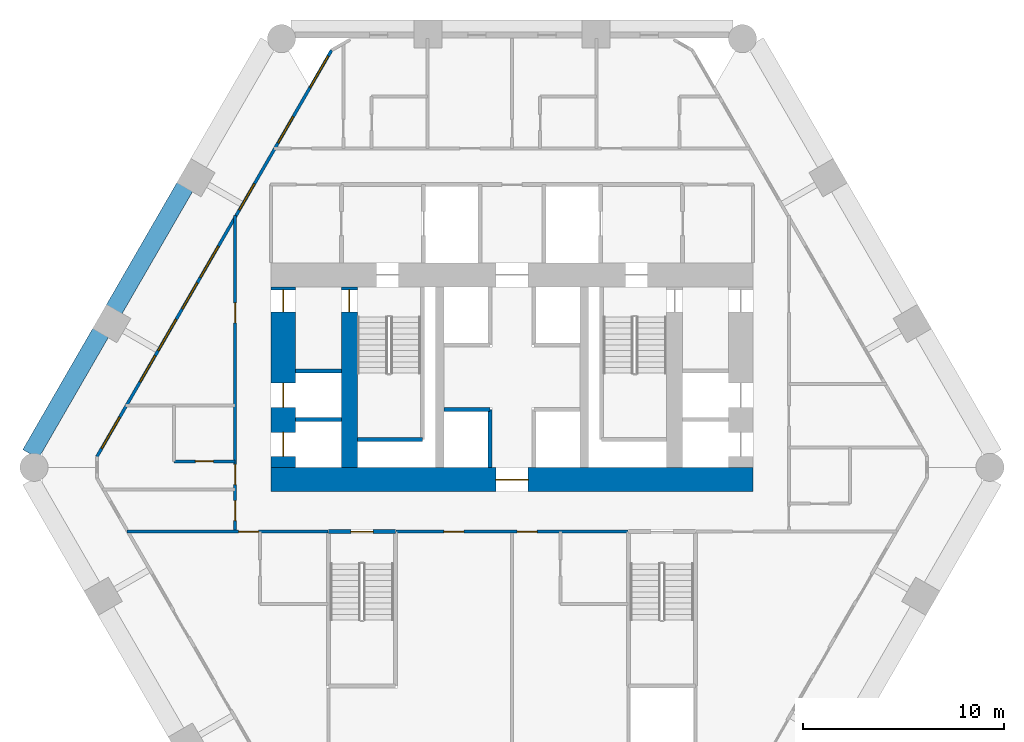
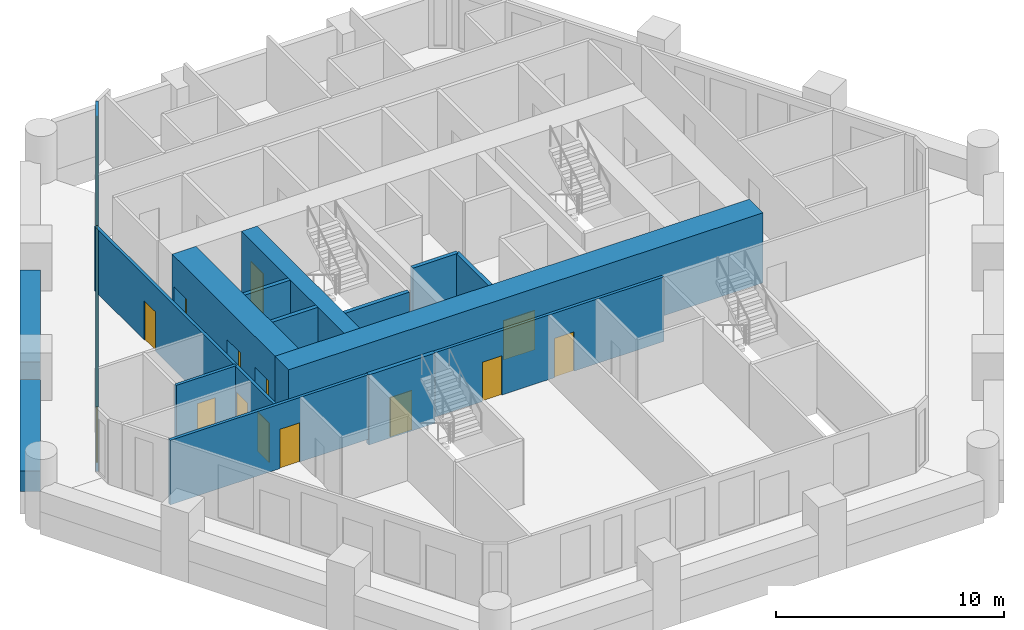
# One storey, part 3 of 8: 16 walls, 13 doors, 8 windows, 21 openings.
"""IFC4 building model written with IfcOpenShell, lengths in metres."""

from ifc_helpers import new_model, si_unit, direction, frame, frame_2d, origin, place, context, subcontext, project, spatial, rectangle, extrude, material, layer, layer_set, type_object, element, fill, save


model = new_model("IFC4")

# Units and contexts
model_context = context("Model", 3, precision=1e-05, world=origin(), true_north=direction((0.0, 1.0)))
body_context = subcontext(model_context, "Body", "Model", "MODEL_VIEW")
ifc_project = project(units=[si_unit("LENGTHUNIT", "METRE"), si_unit("AREAUNIT", "SQUARE_METRE"), si_unit("VOLUMEUNIT", "CUBIC_METRE"), si_unit("PLANEANGLEUNIT", "RADIAN"), si_unit("MASSUNIT", "GRAM", prefix="KILO")], contexts=[model_context])

# Site, building, storey
site_placement = place(None, origin())
site = spatial("IfcSite", under=ifc_project, at=site_placement, CompositionType="ELEMENT")
building_placement = place(site_placement, origin())
building = spatial("IfcBuilding", under=site, at=building_placement, Name="Ostrander Bayou Hotel Tower", CompositionType="ELEMENT")
storey_placement = place(building_placement, frame((0.0, 0.0, 50.5)))
storey = spatial("IfcBuildingStorey", under=building, at=storey_placement, Name="L12", CompositionType="ELEMENT", Elevation=50.5)

# Wall, opening, door
ifc_material_1 = material(Name="Concrete f'c 70 MPa", Category="concrete")
ifc_layer_1 = layer(ifc_material_1, 1.199951171875)
ifc_layer_set_1 = layer_set([ifc_layer_1], Name="CW1 core wall 1200 mm f'c 70 MPa")
wall_type_1 = type_object("IfcWallType", Name="CW1 core wall 1200 mm f'c 70 MPa", PredefinedType="SHEAR", material=ifc_layer_set_1)
wall_1_placement = place(storey_placement, frame((-12.0, -1.10009765625, -0.300048828125), z_axis=(0.0, 0.0, 1.0), x_axis=(1.0, 0.0, 0.0)))
wall_1 = element("IfcWall", 1, at=wall_1_placement, inside=storey, type_object=wall_type_1, Name="CW1 L12 S", PredefinedType="SHEAR", context=body_context, shape_type="SweptSolid", body=[
    extrude(rectangle(XDim=24.0, YDim=1.199951171875, at=frame_2d((12.0, 0.0))), origin(), (0.0, 0.0, 1.0), 3.75),
])
opening_1_placement = place(wall_1_placement, frame((11.199951171875, 0.0, 0.0)))
opening_1 = element("IfcOpeningElement", 2, at=opening_1_placement, cuts=wall_1, Name="Opening T12-001", PredefinedType="OPENING", context=body_context, shape_type="SweptSolid", body=[
    extrude(rectangle(XDim=1.60009765625, YDim=2.10009765625, at=frame_2d((0.800048828125, 1.050048828125))), frame((0.0, 0.60009765625, 0.0), z_axis=(0.0, -1.0, 0.0), x_axis=(1.0, 0.0, 0.0)), (0.0, 0.0, 1.0), 1.199951171875),
])
ifc_material_2 = material(Name="Timber door leaf", Category="wood")
door_type_1 = type_object("IfcDoorType", Name="D13 double door 1600 x 2100 mm, 1 hour", OperationType="SINGLE_SWING_LEFT", PredefinedType="DOOR", material=ifc_material_2)
door_1_placement = place(opening_1_placement, origin())
door_1 = element("IfcDoor", 3, at=door_1_placement, inside=storey, type_object=door_type_1, Name="dr:L12:001", OperationType="DOUBLE_DOOR_SINGLE_SWING", OverallHeight=2.10009765625, OverallWidth=1.60009765625, PredefinedType="DOOR", context=body_context, shape_type="SweptSolid", body=[
    extrude(rectangle(XDim=1.60009765625, YDim=2.10009765625, at=frame_2d((0.800048828125, 1.050048828125))), frame((0.0, 0.02490234375, 0.0), z_axis=(0.0, -1.0, 0.0), x_axis=(1.0, 0.0, 0.0)), (0.0, 0.0, 1.0), 0.050048828125),
])
fill(opening_1, door_1)

# Wall, openings, doors
wall_2_placement = place(storey_placement, frame((-11.39990234375, -0.5, -0.300048828125), z_axis=(0.0, 0.0, 1.0), x_axis=(0.0, 1.0, 0.0)))
wall_2 = element("IfcWall", 4, at=wall_2_placement, inside=storey, type_object=wall_type_1, Name="CW1 L12 RW", PredefinedType="SHEAR", context=body_context, shape_type="SweptSolid", body=[
    extrude(rectangle(XDim=9.0, YDim=1.199951171875, at=frame_2d((4.5, 0.0))), origin(), (0.0, 0.0, 1.0), 3.75),
])
opening_2_placement = place(wall_2_placement, frame((7.75, 0.0, 0.0)))
opening_2 = element("IfcOpeningElement", 5, at=opening_2_placement, cuts=wall_2, Name="Opening T12-014", PredefinedType="OPENING", context=body_context, shape_type="SweptSolid", body=[
    extrude(rectangle(XDim=1.10009765625, YDim=2.10009765625, at=frame_2d((0.550048828125, 1.050048828125))), frame((0.0, 0.60009765625, 0.0), z_axis=(0.0, -1.0, 0.0), x_axis=(1.0, 0.0, 0.0)), (0.0, 0.0, 1.0), 1.199951171875),
])
opening_3_placement = place(wall_2_placement, frame((0.550048828125, 0.0, 0.0)))
opening_3 = element("IfcOpeningElement", 6, at=opening_3_placement, cuts=wall_2, Name="Opening T12-015", PredefinedType="OPENING", context=body_context, shape_type="SweptSolid", body=[
    extrude(rectangle(XDim=1.199951171875, YDim=2.10009765625, at=frame_2d((0.60009765625, 1.050048828125))), frame((0.0, 0.60009765625, 0.0), z_axis=(0.0, -1.0, 0.0), x_axis=(1.0, 0.0, 0.0)), (0.0, 0.0, 1.0), 1.199951171875),
])
opening_4_placement = place(wall_2_placement, frame((3.0, 0.0, 0.0)))
opening_4 = element("IfcOpeningElement", 7, at=opening_4_placement, cuts=wall_2, Name="Opening T12-016", PredefinedType="OPENING", context=body_context, shape_type="SweptSolid", body=[
    extrude(rectangle(XDim=1.199951171875, YDim=2.10009765625, at=frame_2d((0.60009765625, 1.050048828125))), frame((0.0, 0.60009765625, 0.0), z_axis=(0.0, -1.0, 0.0), x_axis=(1.0, 0.0, 0.0)), (0.0, 0.0, 1.0), 1.199951171875),
])
ifc_material_3 = material(Name="Timber door leaf", Category="wood")
door_type_2 = type_object("IfcDoorType", Name="D5 stair door 1100 x 2100 mm, 90 minute", OperationType="SINGLE_SWING_LEFT", PredefinedType="DOOR", material=ifc_material_3)
door_2_placement = place(opening_2_placement, origin())
door_2 = element("IfcDoor", 8, at=door_2_placement, inside=storey, type_object=door_type_2, Name="dr:L12:014", OperationType="SINGLE_SWING_LEFT", OverallHeight=2.10009765625, OverallWidth=1.10009765625, PredefinedType="DOOR", context=body_context, shape_type="SweptSolid", body=[
    extrude(rectangle(XDim=1.10009765625, YDim=2.10009765625, at=frame_2d((0.550048828125, 1.050048828125))), frame((0.0, 0.02490234375, 0.0), z_axis=(0.0, -1.0, 0.0), x_axis=(1.0, 0.0, 0.0)), (0.0, 0.0, 1.0), 0.050048828125),
])
fill(opening_2, door_2)
ifc_material_4 = material(Name="Stainless steel sliding door", Category="steel")
door_type_3 = type_object("IfcDoorType", Name="LD1 lift landing door 1200 x 2100 mm", OperationType="SINGLE_SWING_LEFT", PredefinedType="DOOR", material=ifc_material_4)
door_3_placement = place(opening_3_placement, origin())
door_3 = element("IfcDoor", 9, at=door_3_placement, inside=storey, type_object=door_type_3, Name="dr:L12:015", OperationType="SLIDING_TO_LEFT", OverallHeight=2.10009765625, OverallWidth=1.199951171875, PredefinedType="DOOR", context=body_context, shape_type="SweptSolid", body=[
    extrude(rectangle(XDim=1.199951171875, YDim=2.10009765625, at=frame_2d((0.60009765625, 1.050048828125))), frame((0.0, 0.02490234375, 0.0), z_axis=(0.0, -1.0, 0.0), x_axis=(1.0, 0.0, 0.0)), (0.0, 0.0, 1.0), 0.050048828125),
])
fill(opening_3, door_3)
door_4_placement = place(opening_4_placement, origin())
door_4 = element("IfcDoor", 10, at=door_4_placement, inside=storey, type_object=door_type_3, Name="dr:L12:016", OperationType="SLIDING_TO_LEFT", OverallHeight=2.10009765625, OverallWidth=1.199951171875, PredefinedType="DOOR", context=body_context, shape_type="SweptSolid", body=[
    extrude(rectangle(XDim=1.199951171875, YDim=2.10009765625, at=frame_2d((0.60009765625, 1.050048828125))), frame((0.0, 0.02490234375, 0.0), z_axis=(0.0, -1.0, 0.0), x_axis=(1.0, 0.0, 0.0)), (0.0, 0.0, 1.0), 0.050048828125),
])
fill(opening_4, door_4)

# Wall, opening, door
ifc_material_5 = material(Name="Concrete f'c 70 MPa", Category="concrete")
ifc_layer_2 = layer(ifc_material_5, 0.800048828125)
ifc_layer_set_2 = layer_set([ifc_layer_2], Name="CW2 core spine wall 800 mm f'c 70 MPa")
wall_type_2 = type_object("IfcWallType", Name="CW2 core spine wall 800 mm f'c 70 MPa", PredefinedType="SHEAR", material=ifc_layer_set_2)
wall_3_placement = place(storey_placement, frame((-8.10009765625, -0.5, -0.300048828125), z_axis=(0.0, 0.0, 1.0), x_axis=(0.0, 1.0, 0.0)))
wall_3 = element("IfcWall", 11, at=wall_3_placement, inside=storey, type_object=wall_type_2, Name="CW2 L12 W", PredefinedType="SHEAR", context=body_context, shape_type="SweptSolid", body=[
    extrude(rectangle(XDim=9.0, YDim=0.800048828125, at=frame_2d((4.5, 0.0))), origin(), (0.0, 0.0, 1.0), 3.75),
])
opening_5_placement = place(wall_3_placement, frame((7.75, 0.0, 0.0)))
opening_5 = element("IfcOpeningElement", 12, at=opening_5_placement, cuts=wall_3, Name="Opening T12-004", PredefinedType="OPENING", context=body_context, shape_type="SweptSolid", body=[
    extrude(rectangle(XDim=1.10009765625, YDim=2.10009765625, at=frame_2d((0.550048828125, 1.050048828125))), frame((0.0, 0.39990234375, 0.0), z_axis=(0.0, -1.0, 0.0), x_axis=(1.0, 0.0, 0.0)), (0.0, 0.0, 1.0), 0.800048828125),
])
door_5_placement = place(opening_5_placement, origin())
door_5 = element("IfcDoor", 13, at=door_5_placement, inside=storey, type_object=door_type_2, Name="dr:L12:004", OperationType="SINGLE_SWING_RIGHT", OverallHeight=2.10009765625, OverallWidth=1.10009765625, PredefinedType="DOOR", context=body_context, shape_type="SweptSolid", body=[
    extrude(rectangle(XDim=1.10009765625, YDim=2.10009765625, at=frame_2d((0.550048828125, 1.050048828125))), frame((0.0, 0.02490234375, 0.0), z_axis=(0.0, -1.0, 0.0), x_axis=(1.0, 0.0, 0.0)), (0.0, 0.0, 1.0), 0.050048828125),
])
fill(opening_5, door_5)

# Wall, openings, windows
ifc_material_6 = material(Name="Aluminium framed insulated wall", Category="aluminium")
ifc_layer_3 = layer(ifc_material_6, 0.14990234375)
ifc_layer_set_3 = layer_set([ifc_layer_3], Name="GW1 glass-line wall 150 mm")
wall_type_3 = type_object("IfcWallType", Name="GW1 glass-line wall 150 mm", PredefinedType="SOLIDWALL", material=ifc_layer_set_3)
wall_4_placement = place(storey_placement, frame((-8.99267578125, 20.29248046875, 0.0), z_axis=(0.0, 0.0, 1.0), x_axis=(-0.49999960747, -0.866025630412, 0.0)))
wall_4 = element("IfcWall", 14, at=wall_4_placement, inside=storey, type_object=wall_type_3, Name="GW1 L12 NW 1", PredefinedType="SOLIDWALL", context=body_context, shape_type="SweptSolid", body=[
    extrude(rectangle(XDim=23.3837890625, YDim=0.14990234375, at=frame_2d((11.69189453125, 0.0))), origin(), (0.0, 0.0, 1.0), 3.449951171875),
])
opening_6_placement = place(wall_4_placement, frame((3.8251953125, 0.0, 0.14990234375)))
opening_6 = element("IfcOpeningElement", 15, at=opening_6_placement, cuts=wall_4, Name="Opening W11", PredefinedType="OPENING", context=body_context, shape_type="SweptSolid", body=[
    extrude(rectangle(XDim=1.5, YDim=2.85009765625, at=frame_2d((0.75, 1.425048828125))), frame((0.0, 0.074951171875, 0.0), z_axis=(0.0, -1.0, 0.0), x_axis=(1.0, 0.0, 0.0)), (0.0, 0.0, 1.0), 0.14990234375),
])
opening_7_placement = place(wall_4_placement, frame((7.686767578125, 0.0, 0.14990234375)))
opening_7 = element("IfcOpeningElement", 16, at=opening_7_placement, cuts=wall_4, Name="Opening W11", PredefinedType="OPENING", context=body_context, shape_type="SweptSolid", body=[
    extrude(rectangle(XDim=1.5, YDim=2.85009765625, at=frame_2d((0.75, 1.425048828125))), frame((0.0, 0.074951171875, 0.0), z_axis=(0.0, -1.0, 0.0), x_axis=(1.0, 0.0, 0.0)), (0.0, 0.0, 1.0), 0.14990234375),
])
opening_8_placement = place(wall_4_placement, frame((11.277587890625, 0.0, 0.14990234375)))
opening_8 = element("IfcOpeningElement", 17, at=opening_8_placement, cuts=wall_4, Name="Opening W1", PredefinedType="OPENING", context=body_context, shape_type="SweptSolid", body=[
    extrude(rectangle(XDim=1.800048828125, YDim=2.85009765625, at=frame_2d((0.89990234375, 1.425048828125))), frame((0.0, 0.074951171875, 0.0), z_axis=(0.0, -1.0, 0.0), x_axis=(1.0, 0.0, 0.0)), (0.0, 0.0, 1.0), 0.14990234375),
])
opening_9_placement = place(wall_4_placement, frame((13.37744140625, 0.0, 0.14990234375)))
opening_9 = element("IfcOpeningElement", 18, at=opening_9_placement, cuts=wall_4, Name="Opening W11", PredefinedType="OPENING", context=body_context, shape_type="SweptSolid", body=[
    extrude(rectangle(XDim=1.5, YDim=2.85009765625, at=frame_2d((0.75, 1.425048828125))), frame((0.0, 0.074951171875, 0.0), z_axis=(0.0, -1.0, 0.0), x_axis=(1.0, 0.0, 0.0)), (0.0, 0.0, 1.0), 0.14990234375),
])
opening_10_placement = place(wall_4_placement, frame((15.4775390625, 0.0, 0.14990234375)))
opening_10 = element("IfcOpeningElement", 19, at=opening_10_placement, cuts=wall_4, Name="Opening W1", PredefinedType="OPENING", context=body_context, shape_type="SweptSolid", body=[
    extrude(rectangle(XDim=1.800048828125, YDim=2.85009765625, at=frame_2d((0.89990234375, 1.425048828125))), frame((0.0, 0.074951171875, 0.0), z_axis=(0.0, -1.0, 0.0), x_axis=(1.0, 0.0, 0.0)), (0.0, 0.0, 1.0), 0.14990234375),
])
opening_11_placement = place(wall_4_placement, frame((17.577392578125, 0.0, 0.14990234375)))
opening_11 = element("IfcOpeningElement", 20, at=opening_11_placement, cuts=wall_4, Name="Opening W11", PredefinedType="OPENING", context=body_context, shape_type="SweptSolid", body=[
    extrude(rectangle(XDim=1.5, YDim=2.85009765625, at=frame_2d((0.75, 1.425048828125))), frame((0.0, 0.074951171875, 0.0), z_axis=(0.0, -1.0, 0.0), x_axis=(1.0, 0.0, 0.0)), (0.0, 0.0, 1.0), 0.14990234375),
])
opening_12_placement = place(wall_4_placement, frame((0.3388671875, 0.0, 0.14990234375)))
opening_12 = element("IfcOpeningElement", 21, at=opening_12_placement, cuts=wall_4, Name="Opening W1", PredefinedType="OPENING", context=body_context, shape_type="SweptSolid", body=[
    extrude(rectangle(XDim=1.800048828125, YDim=2.72998046875, at=frame_2d((0.89990234375, 1.364990234375))), frame((0.0, 0.074951171875, 0.0), z_axis=(0.0, -1.0, 0.0), x_axis=(1.0, 0.0, 0.0)), (0.0, 0.0, 1.0), 0.14990234375),
])
opening_13_placement = place(wall_4_placement, frame((21.11962890625, 0.0, 0.14990234375)))
opening_13 = element("IfcOpeningElement", 22, at=opening_13_placement, cuts=wall_4, Name="Opening W1", PredefinedType="OPENING", context=body_context, shape_type="SweptSolid", body=[
    extrude(rectangle(XDim=1.800048828125, YDim=2.72998046875, at=frame_2d((0.89990234375, 1.364990234375))), frame((0.0, 0.074951171875, 0.0), z_axis=(0.0, -1.0, 0.0), x_axis=(1.0, 0.0, 0.0)), (0.0, 0.0, 1.0), 0.14990234375),
])
ifc_material_7 = material(Name="Aluminium and clear glass", Category="aluminium")
window_type_1 = type_object("IfcWindowType", Name="W1 fixed window 1800 mm, zone 1", PartitioningType="SINGLE_PANEL", PredefinedType="WINDOW", material=ifc_material_7)
window_1_placement = place(opening_8_placement, origin())
window_1 = element("IfcWindow", 23, at=window_1_placement, inside=storey, type_object=window_type_1, Name="W1 L12 NW 3", OverallHeight=2.85009765625, OverallWidth=1.800048828125, PartitioningType="SINGLE_PANEL", PredefinedType="WINDOW", context=body_context, shape_type="SweptSolid", body=[
    extrude(rectangle(XDim=1.800048828125, YDim=2.85009765625, at=frame_2d((0.89990234375, 1.425048828125))), frame((0.0, 0.030029296875, 0.0), z_axis=(0.0, -1.0, 0.0), x_axis=(1.0, 0.0, 0.0)), (0.0, 0.0, 1.0), 0.06005859375),
])
fill(opening_8, window_1)
window_2_placement = place(opening_10_placement, origin())
window_2 = element("IfcWindow", 24, at=window_2_placement, inside=storey, type_object=window_type_1, Name="W1 L12 NW 4", OverallHeight=2.85009765625, OverallWidth=1.800048828125, PartitioningType="SINGLE_PANEL", PredefinedType="WINDOW", context=body_context, shape_type="SweptSolid", body=[
    extrude(rectangle(XDim=1.800048828125, YDim=2.85009765625, at=frame_2d((0.89990234375, 1.425048828125))), frame((0.0, 0.030029296875, 0.0), z_axis=(0.0, -1.0, 0.0), x_axis=(1.0, 0.0, 0.0)), (0.0, 0.0, 1.0), 0.06005859375),
])
fill(opening_10, window_2)
window_3_placement = place(opening_12_placement, origin())
window_3 = element("IfcWindow", 25, at=window_3_placement, inside=storey, type_object=window_type_1, Name="W1 L12 NW E11", OverallHeight=2.72998046875, OverallWidth=1.800048828125, PartitioningType="SINGLE_PANEL", PredefinedType="WINDOW", context=body_context, shape_type="SweptSolid", body=[
    extrude(rectangle(XDim=1.800048828125, YDim=2.72998046875, at=frame_2d((0.89990234375, 1.364990234375))), frame((0.0, 0.030029296875, 0.0), z_axis=(0.0, -1.0, 0.0), x_axis=(1.0, 0.0, 0.0)), (0.0, 0.0, 1.0), 0.06005859375),
])
fill(opening_12, window_3)
window_4_placement = place(opening_13_placement, origin())
window_4 = element("IfcWindow", 26, at=window_4_placement, inside=storey, type_object=window_type_1, Name="W1 L12 NW E22", OverallHeight=2.72998046875, OverallWidth=1.800048828125, PartitioningType="SINGLE_PANEL", PredefinedType="WINDOW", context=body_context, shape_type="SweptSolid", body=[
    extrude(rectangle(XDim=1.800048828125, YDim=2.72998046875, at=frame_2d((0.89990234375, 1.364990234375))), frame((0.0, 0.030029296875, 0.0), z_axis=(0.0, -1.0, 0.0), x_axis=(1.0, 0.0, 0.0)), (0.0, 0.0, 1.0), 0.06005859375),
])
fill(opening_13, window_4)
ifc_material_8 = material(Name="Aluminium and clear glass", Category="aluminium")
window_type_2 = type_object("IfcWindowType", Name="W11 fixed window 1500 mm, bath bay, zone 1", PartitioningType="SINGLE_PANEL", PredefinedType="WINDOW", material=ifc_material_8)
window_5_placement = place(opening_6_placement, origin())
window_5 = element("IfcWindow", 27, at=window_5_placement, inside=storey, type_object=window_type_2, Name="W11 L12 NW 1", OverallHeight=2.85009765625, OverallWidth=1.5, PartitioningType="SINGLE_PANEL", PredefinedType="WINDOW", context=body_context, shape_type="SweptSolid", body=[
    extrude(rectangle(XDim=1.5, YDim=2.85009765625, at=frame_2d((0.75, 1.425048828125))), frame((0.0, 0.030029296875, 0.0), z_axis=(0.0, -1.0, 0.0), x_axis=(1.0, 0.0, 0.0)), (0.0, 0.0, 1.0), 0.06005859375),
])
fill(opening_6, window_5)
window_6_placement = place(opening_7_placement, origin())
window_6 = element("IfcWindow", 28, at=window_6_placement, inside=storey, type_object=window_type_2, Name="W11 L12 NW 2", OverallHeight=2.85009765625, OverallWidth=1.5, PartitioningType="SINGLE_PANEL", PredefinedType="WINDOW", context=body_context, shape_type="SweptSolid", body=[
    extrude(rectangle(XDim=1.5, YDim=2.85009765625, at=frame_2d((0.75, 1.425048828125))), frame((0.0, 0.030029296875, 0.0), z_axis=(0.0, -1.0, 0.0), x_axis=(1.0, 0.0, 0.0)), (0.0, 0.0, 1.0), 0.06005859375),
])
fill(opening_7, window_6)
window_7_placement = place(opening_9_placement, origin())
window_7 = element("IfcWindow", 29, at=window_7_placement, inside=storey, type_object=window_type_2, Name="W11 L12 NW 3", OverallHeight=2.85009765625, OverallWidth=1.5, PartitioningType="SINGLE_PANEL", PredefinedType="WINDOW", context=body_context, shape_type="SweptSolid", body=[
    extrude(rectangle(XDim=1.5, YDim=2.85009765625, at=frame_2d((0.75, 1.425048828125))), frame((0.0, 0.030029296875, 0.0), z_axis=(0.0, -1.0, 0.0), x_axis=(1.0, 0.0, 0.0)), (0.0, 0.0, 1.0), 0.06005859375),
])
fill(opening_9, window_7)
window_8_placement = place(opening_11_placement, origin())
window_8 = element("IfcWindow", 30, at=window_8_placement, inside=storey, type_object=window_type_2, Name="W11 L12 NW 4", OverallHeight=2.85009765625, OverallWidth=1.5, PartitioningType="SINGLE_PANEL", PredefinedType="WINDOW", context=body_context, shape_type="SweptSolid", body=[
    extrude(rectangle(XDim=1.5, YDim=2.85009765625, at=frame_2d((0.75, 1.425048828125))), frame((0.0, 0.030029296875, 0.0), z_axis=(0.0, -1.0, 0.0), x_axis=(1.0, 0.0, 0.0)), (0.0, 0.0, 1.0), 0.06005859375),
])
fill(opening_11, window_8)

# Walls
ifc_material_9 = material(Name="Concrete f'c 40 MPa", Category="concrete")
ifc_layer_4 = layer(ifc_material_9, 0.89990234375)
ifc_layer_set_4 = layer_set([ifc_layer_4], Name="PA1 stone-faced parapet 900 mm")
wall_type_4 = type_object("IfcWallType", Name="PA1 stone-faced parapet 900 mm", PredefinedType="PARAPET", material=ifc_layer_set_4)
wall_5_placement = place(storey_placement, frame((-16.3017578125, 13.482666015625, 0.0), z_axis=(0.0, 0.0, 1.0), x_axis=(-0.499997206141, -0.866027016814, 0.0)))
element("IfcWall", 31, at=wall_5_placement, inside=storey, type_object=wall_type_4, Name="PA1 L12 NW-2", PredefinedType="PARAPET", context=body_context, shape_type="SweptSolid", body=[
    extrude(rectangle(XDim=7.05078125, YDim=0.89990234375, at=frame_2d((3.525390625, 0.0))), origin(), (0.0, 0.0, 1.0), 1.10009765625),
])
wall_6_placement = place(storey_placement, frame((-20.497314453125, 6.216064453125, 0.0), z_axis=(0.0, 0.0, 1.0), x_axis=(-0.499983583635, -0.86603488157, 0.0)))
element("IfcWall", 32, at=wall_6_placement, inside=storey, type_object=wall_type_4, Name="PA1 L12 NW-3", PredefinedType="PARAPET", context=body_context, shape_type="SweptSolid", body=[
    extrude(rectangle(XDim=6.987060546875, YDim=0.89990234375, at=frame_2d((3.49365234375, 0.0))), origin(), (0.0, 0.0, 1.0), 1.10009765625),
])
ifc_material_10 = material(Name="Masonry block", Category="masonry")
ifc_layer_5 = layer(ifc_material_10, 0.199951171875)
ifc_layer_set_5 = layer_set([ifc_layer_5], Name="PT6 lift shaft wall 200 mm masonry, 2 hour")
wall_type_5 = type_object("IfcWallType", Name="PT6 lift shaft wall 200 mm masonry, 2 hour", PredefinedType="PARTITIONING", material=ifc_layer_set_5)
wall_7_placement = place(storey_placement, frame((-3.39990234375, 2.39990234375, 0.0), z_axis=(0.0, 0.0, 1.0), x_axis=(1.0, 0.0, 0.0)))
element("IfcWall", 33, at=wall_7_placement, inside=storey, type_object=wall_type_5, Name="cs:L12:001", PredefinedType="PARTITIONING", context=body_context, shape_type="SweptSolid", body=[
    extrude(rectangle(XDim=2.2998046875, YDim=0.199951171875, at=frame_2d((1.14990234375, 0.0))), origin(), (0.0, 0.0, 1.0), 3.449951171875),
])
wall_8_placement = place(storey_placement, frame((-1.10009765625, -0.5, 0.0), z_axis=(0.0, 0.0, 1.0), x_axis=(0.0, 1.0, 0.0)))
element("IfcWall", 34, at=wall_8_placement, inside=storey, type_object=wall_type_5, Name="cs:L12:005", PredefinedType="PARTITIONING", context=body_context, shape_type="SweptSolid", body=[
    extrude(rectangle(XDim=2.89990234375, YDim=0.199951171875, at=frame_2d((1.449951171875, 0.0))), origin(), (0.0, 0.0, 1.0), 3.449951171875),
])
for number, where, z_axis, x_axis, name in (
    (35, (-10.800048828125, 1.89990234375, 0.0), (0.0, 0.0, 1.0), (1.0, 0.0, 0.0), "cs:L12:030"),
    (36, (-10.800048828125, 4.300048828125, 0.0), (0.0, 0.0, 1.0), (1.0, 0.0, 0.0), "cs:L12:031"),
):
    element("IfcWall", number, at=place(storey_placement, frame(where, z_axis=z_axis, x_axis=x_axis)), inside=storey, type_object=wall_type_5, Name=name, PredefinedType="PARTITIONING", context=body_context, shape_type="SweptSolid", body=[
        extrude(rectangle(XDim=2.300048828125, YDim=0.199951171875, at=frame_2d((1.14990234375, 0.0))), origin(), (0.0, 0.0, 1.0), 3.449951171875),
    ])

# Wall, opening, door
ifc_material_11 = material(Name="Gypsum board partition", Category="finish")
ifc_layer_6 = layer(ifc_material_11, 0.14990234375)
ifc_layer_set_6 = layer_set([ifc_layer_6], Name="PT8 service band wall 150 mm, 1 hour")
wall_type_6 = type_object("IfcWallType", Name="PT8 service band wall 150 mm, 1 hour", PredefinedType="PARTITIONING", material=ifc_layer_set_6)
wall_9_placement = place(storey_placement, frame((-19.19091796875, -3.699951171875, 0.0), z_axis=(0.0, 0.0, 1.0), x_axis=(1.0, 0.0, 0.0)))
wall_9 = element("IfcWall", 37, at=wall_9_placement, inside=storey, type_object=wall_type_6, Name="gw:L12:003", PredefinedType="PARTITIONING", context=body_context, shape_type="SweptSolid", body=[
    extrude(rectangle(XDim=10.031005859375, YDim=0.14990234375, at=frame_2d((5.015625, 0.0))), origin(), (0.0, 0.0, 1.0), 3.449951171875),
])
opening_14_placement = place(wall_9_placement, frame((5.56591796875, 0.0, 0.0)))
opening_14 = element("IfcOpeningElement", 38, at=opening_14_placement, cuts=wall_9, Name="Opening T12-401", PredefinedType="OPENING", context=body_context, shape_type="SweptSolid", body=[
    extrude(rectangle(XDim=1.0, YDim=2.10009765625, at=frame_2d((0.5, 1.050048828125))), frame((0.0, 0.074951171875, 0.0), z_axis=(0.0, -1.0, 0.0), x_axis=(1.0, 0.0, 0.0)), (0.0, 0.0, 1.0), 0.14990234375),
])
ifc_material_12 = material(Name="Timber door leaf", Category="wood")
door_type_4 = type_object("IfcDoorType", Name="D1 guest room door 1000 x 2100 mm, 30 minute", OperationType="SINGLE_SWING_LEFT", PredefinedType="DOOR", material=ifc_material_12)
door_6_placement = place(opening_14_placement, origin())
door_6 = element("IfcDoor", 39, at=door_6_placement, inside=storey, type_object=door_type_4, Name="dr:L12:401", OperationType="SINGLE_SWING_LEFT", OverallHeight=2.10009765625, OverallWidth=1.0, PredefinedType="DOOR", context=body_context, shape_type="SweptSolid", body=[
    extrude(rectangle(XDim=1.0, YDim=2.10009765625, at=frame_2d((0.5, 1.050048828125))), frame((0.0, 0.02490234375, 0.0), z_axis=(0.0, -1.0, 0.0), x_axis=(1.0, 0.0, 0.0)), (0.0, 0.0, 1.0), 0.050048828125),
])
fill(opening_14, door_6)

# Wall, openings, doors
wall_10_placement = place(storey_placement, frame((-5.7900390625, -3.699951171875, 0.0), z_axis=(0.0, 0.0, 1.0), x_axis=(1.0, 0.0, 0.0)))
wall_10 = element("IfcWall", 40, at=wall_10_placement, inside=storey, type_object=wall_type_6, Name="gw:L12:004", PredefinedType="PARTITIONING", context=body_context, shape_type="SweptSolid", body=[
    extrude(rectangle(XDim=11.580078125, YDim=0.14990234375, at=frame_2d((5.7900390625, 0.0))), origin(), (0.0, 0.0, 1.0), 3.449951171875),
])
opening_15_placement = place(wall_10_placement, frame((2.389892578125, 0.0, 0.0)))
opening_15 = element("IfcOpeningElement", 41, at=opening_15_placement, cuts=wall_10, Name="Opening T12-400", PredefinedType="OPENING", context=body_context, shape_type="SweptSolid", body=[
    extrude(rectangle(XDim=1.0, YDim=2.10009765625, at=frame_2d((0.5, 1.050048828125))), frame((0.0, 0.074951171875, 0.0), z_axis=(0.0, -1.0, 0.0), x_axis=(1.0, 0.0, 0.0)), (0.0, 0.0, 1.0), 0.14990234375),
])
opening_16_placement = place(wall_10_placement, frame((6.0400390625, 0.0, 0.0)))
opening_16 = element("IfcOpeningElement", 42, at=opening_16_placement, cuts=wall_10, Name="Opening T12-403", PredefinedType="OPENING", context=body_context, shape_type="SweptSolid", body=[
    extrude(rectangle(XDim=1.0, YDim=2.10009765625, at=frame_2d((0.5, 1.050048828125))), frame((0.0, 0.074951171875, 0.0), z_axis=(0.0, -1.0, 0.0), x_axis=(1.0, 0.0, 0.0)), (0.0, 0.0, 1.0), 0.14990234375),
])
door_7_placement = place(opening_16_placement, origin())
door_7 = element("IfcDoor", 43, at=door_7_placement, inside=storey, type_object=door_type_4, Name="dr:L12:403", OperationType="SINGLE_SWING_LEFT", OverallHeight=2.10009765625, OverallWidth=1.0, PredefinedType="DOOR", context=body_context, shape_type="SweptSolid", body=[
    extrude(rectangle(XDim=1.0, YDim=2.10009765625, at=frame_2d((0.5, 1.050048828125))), frame((0.0, 0.02490234375, 0.0), z_axis=(0.0, -1.0, 0.0), x_axis=(1.0, 0.0, 0.0)), (0.0, 0.0, 1.0), 0.050048828125),
])
fill(opening_16, door_7)
ifc_material_13 = material(Name="Timber door leaf", Category="wood")
door_type_5 = type_object("IfcDoorType", Name="D9 service door 1000 x 2100 mm, 30 minute", OperationType="SINGLE_SWING_LEFT", PredefinedType="DOOR", material=ifc_material_13)
door_8_placement = place(opening_15_placement, origin())
door_8 = element("IfcDoor", 44, at=door_8_placement, inside=storey, type_object=door_type_5, Name="dr:L12:400", OperationType="SINGLE_SWING_RIGHT", OverallHeight=2.10009765625, OverallWidth=1.0, PredefinedType="DOOR", context=body_context, shape_type="SweptSolid", body=[
    extrude(rectangle(XDim=1.0, YDim=2.10009765625, at=frame_2d((0.5, 1.050048828125))), frame((0.0, 0.02490234375, 0.0), z_axis=(0.0, -1.0, 0.0), x_axis=(1.0, 0.0, 0.0)), (0.0, 0.0, 1.0), 0.050048828125),
])
fill(opening_15, door_8)

# Wall, opening, door
wall_11_placement = place(storey_placement, frame((-16.85009765625, -0.199951171875, 0.0), z_axis=(0.0, 0.0, 1.0), x_axis=(1.0, 0.0, 0.0)))
wall_11 = element("IfcWall", 45, at=wall_11_placement, inside=storey, type_object=wall_type_6, Name="gw:L12:008", PredefinedType="PARTITIONING", context=body_context, shape_type="SweptSolid", body=[
    extrude(rectangle(XDim=3.050048828125, YDim=0.14990234375, at=frame_2d((1.52490234375, 0.0))), origin(), (0.0, 0.0, 1.0), 3.449951171875),
])
opening_17_placement = place(wall_11_placement, frame((1.074951171875, 0.0, 0.0)))
opening_17 = element("IfcOpeningElement", 46, at=opening_17_placement, cuts=wall_11, Name="Opening T12-408", PredefinedType="OPENING", context=body_context, shape_type="SweptSolid", body=[
    extrude(rectangle(XDim=0.89990234375, YDim=2.10009765625, at=frame_2d((0.449951171875, 1.050048828125))), frame((0.0, 0.074951171875, 0.0), z_axis=(0.0, -1.0, 0.0), x_axis=(1.0, 0.0, 0.0)), (0.0, 0.0, 1.0), 0.14990234375),
])
ifc_material_14 = material(Name="Timber door leaf", Category="wood")
door_type_6 = type_object("IfcDoorType", Name="D14 bathroom door 900 x 2100 mm", OperationType="SINGLE_SWING_LEFT", PredefinedType="DOOR", material=ifc_material_14)
door_9_placement = place(opening_17_placement, origin())
door_9 = element("IfcDoor", 47, at=door_9_placement, inside=storey, type_object=door_type_6, Name="dr:L12:408", OperationType="SINGLE_SWING_RIGHT", OverallHeight=2.10009765625, OverallWidth=0.89990234375, PredefinedType="DOOR", context=body_context, shape_type="SweptSolid", body=[
    extrude(rectangle(XDim=0.89990234375, YDim=2.10009765625, at=frame_2d((0.449951171875, 1.050048828125))), frame((0.0, 0.02490234375, 0.0), z_axis=(0.0, -1.0, 0.0), x_axis=(1.0, 0.0, 0.0)), (0.0, 0.0, 1.0), 0.050048828125),
])
fill(opening_17, door_9)

# Wall, openings, doors
wall_12_placement = place(storey_placement, frame((-13.800048828125, -3.699951171875, 0.0), z_axis=(0.0, 0.0, 1.0), x_axis=(0.0, 1.0, 0.0)))
wall_12 = element("IfcWall", 48, at=wall_12_placement, inside=storey, type_object=wall_type_6, Name="gw:L12:035", PredefinedType="PARTITIONING", context=body_context, shape_type="SweptSolid", body=[
    extrude(rectangle(XDim=15.755859375, YDim=0.14990234375, at=frame_2d((7.8779296875, 0.0))), origin(), (0.0, 0.0, 1.0), 3.449951171875),
])
opening_18_placement = place(wall_12_placement, frame((0.550048828125, 0.0, 0.0)))
opening_18 = element("IfcOpeningElement", 49, at=opening_18_placement, cuts=wall_12, Name="Opening T12-406", PredefinedType="OPENING", context=body_context, shape_type="SweptSolid", body=[
    extrude(rectangle(XDim=1.0, YDim=2.10009765625, at=frame_2d((0.5, 1.050048828125))), frame((0.0, 0.074951171875, 0.0), z_axis=(0.0, -1.0, 0.0), x_axis=(1.0, 0.0, 0.0)), (0.0, 0.0, 1.0), 0.14990234375),
])
opening_19_placement = place(wall_12_placement, frame((2.35009765625, 0.0, 0.0)))
opening_19 = element("IfcOpeningElement", 50, at=opening_19_placement, cuts=wall_12, Name="Opening T12-407", PredefinedType="OPENING", context=body_context, shape_type="SweptSolid", body=[
    extrude(rectangle(XDim=1.0, YDim=2.10009765625, at=frame_2d((0.5, 1.050048828125))), frame((0.0, 0.074951171875, 0.0), z_axis=(0.0, -1.0, 0.0), x_axis=(1.0, 0.0, 0.0)), (0.0, 0.0, 1.0), 0.14990234375),
])
opening_20_placement = place(wall_12_placement, frame((10.406982421875, 0.0, 0.0)))
opening_20 = element("IfcOpeningElement", 51, at=opening_20_placement, cuts=wall_12, Name="Opening T12-409", PredefinedType="OPENING", context=body_context, shape_type="SweptSolid", body=[
    extrude(rectangle(XDim=1.0, YDim=2.10009765625, at=frame_2d((0.5, 1.050048828125))), frame((0.0, 0.074951171875, 0.0), z_axis=(0.0, -1.0, 0.0), x_axis=(1.0, 0.0, 0.0)), (0.0, 0.0, 1.0), 0.14990234375),
])
door_10_placement = place(opening_19_placement, origin())
door_10 = element("IfcDoor", 52, at=door_10_placement, inside=storey, type_object=door_type_4, Name="dr:L12:407", OperationType="SINGLE_SWING_LEFT", OverallHeight=2.10009765625, OverallWidth=1.0, PredefinedType="DOOR", context=body_context, shape_type="SweptSolid", body=[
    extrude(rectangle(XDim=1.0, YDim=2.10009765625, at=frame_2d((0.5, 1.050048828125))), frame((0.0, 0.02490234375, 0.0), z_axis=(0.0, -1.0, 0.0), x_axis=(1.0, 0.0, 0.0)), (0.0, 0.0, 1.0), 0.050048828125),
])
fill(opening_19, door_10)
door_11_placement = place(opening_18_placement, origin())
door_11 = element("IfcDoor", 53, at=door_11_placement, inside=storey, type_object=door_type_5, Name="dr:L12:406", OperationType="SINGLE_SWING_LEFT", OverallHeight=2.10009765625, OverallWidth=1.0, PredefinedType="DOOR", context=body_context, shape_type="SweptSolid", body=[
    extrude(rectangle(XDim=1.0, YDim=2.10009765625, at=frame_2d((0.5, 1.050048828125))), frame((0.0, 0.02490234375, 0.0), z_axis=(0.0, -1.0, 0.0), x_axis=(1.0, 0.0, 0.0)), (0.0, 0.0, 1.0), 0.050048828125),
])
fill(opening_18, door_11)
door_12_placement = place(opening_20_placement, origin())
door_12 = element("IfcDoor", 54, at=door_12_placement, inside=storey, type_object=door_type_5, Name="dr:L12:409", OperationType="SINGLE_SWING_LEFT", OverallHeight=2.10009765625, OverallWidth=1.0, PredefinedType="DOOR", context=body_context, shape_type="SweptSolid", body=[
    extrude(rectangle(XDim=1.0, YDim=2.10009765625, at=frame_2d((0.5, 1.050048828125))), frame((0.0, 0.02490234375, 0.0), z_axis=(0.0, -1.0, 0.0), x_axis=(1.0, 0.0, 0.0)), (0.0, 0.0, 1.0), 0.050048828125),
])
fill(opening_20, door_12)

# Wall
ifc_material_15 = material(Name="Concrete f'c 45 MPa", Category="concrete")
ifc_layer_7 = layer(ifc_material_15, 0.199951171875)
ifc_layer_set_7 = layer_set([ifc_layer_7], Name="SW5 stair enclosure wall 200 mm f'c 45 MPa")
wall_type_7 = type_object("IfcWallType", Name="SW5 stair enclosure wall 200 mm f'c 45 MPa", PredefinedType="SOLIDWALL", material=ifc_layer_set_7)
wall_13_placement = place(storey_placement, frame((-7.699951171875, 0.89990234375, -0.300048828125), z_axis=(0.0, 0.0, 1.0), x_axis=(1.0, 0.0, 0.0)))
element("IfcWall", 55, at=wall_13_placement, inside=storey, type_object=wall_type_7, Name="cs:L12:010", PredefinedType="SOLIDWALL", context=body_context, shape_type="SweptSolid", body=[
    extrude(rectangle(XDim=3.25, YDim=0.199951171875, at=frame_2d((1.625, 0.0))), origin(), (0.0, 0.0, 1.0), 3.75),
])

# Wall, opening, door
wall_14_placement = place(storey_placement, frame((-9.14990234375, -3.699951171875, -0.300048828125), z_axis=(0.0, 0.0, 1.0), x_axis=(1.0, 0.0, 0.0)))
wall_14 = element("IfcWall", 56, at=wall_14_placement, inside=storey, type_object=wall_type_7, Name="cs:L12:019", PredefinedType="SOLIDWALL", context=body_context, shape_type="SweptSolid", body=[
    extrude(rectangle(XDim=3.349853515625, YDim=0.199951171875, at=frame_2d((1.6748046875, 0.0))), origin(), (0.0, 0.0, 1.0), 3.75),
])
opening_21_placement = place(wall_14_placement, frame((1.125, 0.0, 0.0)))
opening_21 = element("IfcOpeningElement", 57, at=opening_21_placement, cuts=wall_14, Name="Opening T12-008", PredefinedType="OPENING", context=body_context, shape_type="SweptSolid", body=[
    extrude(rectangle(XDim=1.10009765625, YDim=2.10009765625, at=frame_2d((0.550048828125, 1.050048828125))), frame((0.0, 0.10009765625, 0.0), z_axis=(0.0, -1.0, 0.0), x_axis=(1.0, 0.0, 0.0)), (0.0, 0.0, 1.0), 0.199951171875),
])
door_13_placement = place(opening_21_placement, origin())
door_13 = element("IfcDoor", 58, at=door_13_placement, inside=storey, type_object=door_type_2, Name="dr:L12:008", OperationType="SINGLE_SWING_LEFT", OverallHeight=2.10009765625, OverallWidth=1.10009765625, PredefinedType="DOOR", context=body_context, shape_type="SweptSolid", body=[
    extrude(rectangle(XDim=1.10009765625, YDim=2.10009765625, at=frame_2d((0.550048828125, 1.050048828125))), frame((0.0, 0.02490234375, 0.0), z_axis=(0.0, -1.0, 0.0), x_axis=(1.0, 0.0, 0.0)), (0.0, 0.0, 1.0), 0.050048828125),
])
fill(opening_21, door_13)

save(model, "model.ifc")
